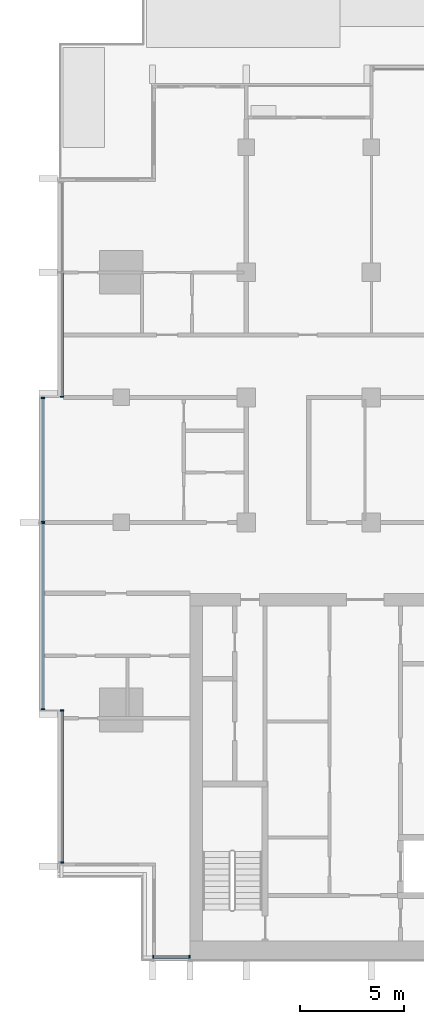
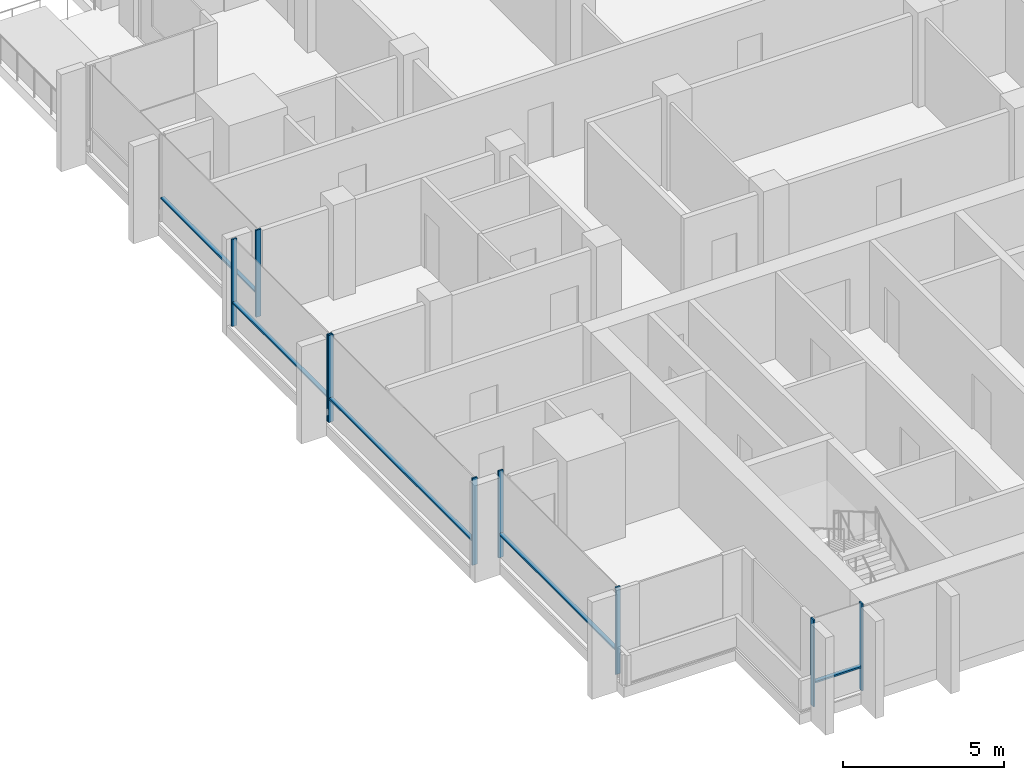
# One storey, part 2 of 17: 14 members, 5 elements without a shape of their own.
"""IFC4 building model written with IfcOpenShell, lengths in metres."""

from ifc_helpers import new_model, si_unit, direction, frame, origin, origin_2d, place, context, subcontext, project, spatial, rectangle, extrude, material, material_profile, profile_set, type_object, element, aggregate, save


model = new_model("IFC4")

# Units and contexts
model_context = context("Model", 3, precision=1e-05, world=origin(), true_north=direction((0.0, 1.0)))
body_context = subcontext(model_context, "Body", "Model", "MODEL_VIEW")
ifc_project = project(units=[si_unit("LENGTHUNIT", "METRE"), si_unit("AREAUNIT", "SQUARE_METRE"), si_unit("VOLUMEUNIT", "CUBIC_METRE"), si_unit("PLANEANGLEUNIT", "RADIAN"), si_unit("MASSUNIT", "GRAM", prefix="KILO")], contexts=[model_context])

# Site, building, storey
site_placement = place(None, origin())
site = spatial("IfcSite", under=ifc_project, at=site_placement, CompositionType="ELEMENT")
building_placement = place(site_placement, origin())
building = spatial("IfcBuilding", under=site, at=building_placement, Name="Finial Court Residences", CompositionType="ELEMENT")
storey_placement = place(building_placement, frame((0.0, 0.0, 205.10009765625)))
storey = spatial("IfcBuildingStorey", under=building, at=storey_placement, Name="L51", CompositionType="ELEMENT", Elevation=205.10009765625)

# Curtain wall, members
ifc_material = material(Name="Bronze anodised aluminium", Category="aluminium")
curtain_wall_type = type_object("IfcCurtainWallType", Name="Unitised curtain wall, upper zones", PredefinedType="NOTDEFINED", material=ifc_material)
curtain_wall_1_placement = place(storey_placement, origin())
curtain_wall_1 = element("IfcCurtainWall", 1, at=curtain_wall_1_placement, inside=storey, type_object=curtain_wall_type, Name="E-L51-CW-S6", PredefinedType="NOTDEFINED")
ifc_material_profile_1 = material_profile(ifc_material, rectangle(XDim=0.175048828125, YDim=0.06005859375, at=origin_2d()), Name="CW2 mullion 60 x 175")
ifc_profile_set_1 = profile_set([ifc_material_profile_1], Name="Bronze anodised aluminium")
member_type_1 = type_object("IfcMemberType", Name="CW2 mullion 60 x 175", PredefinedType="MULLION", material=ifc_profile_set_1)
member_1_placement = place(storey_placement, frame((-14.969970703125, -25.35009765625, 0.0), z_axis=(0.0, 0.0, 1.0), x_axis=(0.0, 1.0, 0.0)))
member_1 = element("IfcMember", 2, at=member_1_placement, type_object=member_type_1, Name="CW2 mullion 1", PredefinedType="MULLION", context=body_context, shape_type="SweptSolid", body=[
    extrude(rectangle(XDim=0.175048828125, YDim=0.06005859375, at=origin_2d()), origin(), (0.0, 0.0, 1.0), 3.2998046875),
])
member_2_placement = place(storey_placement, frame((-13.22998046875, -25.35009765625, 0.0), z_axis=(0.0, 0.0, 1.0), x_axis=(0.0, 1.0, 0.0)))
member_2 = element("IfcMember", 3, at=member_2_placement, type_object=member_type_1, Name="CW2 mullion 2", PredefinedType="MULLION", context=body_context, shape_type="SweptSolid", body=[
    extrude(rectangle(XDim=0.175048828125, YDim=0.06005859375, at=origin_2d()), origin(), (0.0, 0.0, 1.0), 3.2998046875),
])

curtain_wall_2_placement = place(storey_placement, origin())
curtain_wall_2 = element("IfcCurtainWall", 4, at=curtain_wall_2_placement, inside=storey, type_object=curtain_wall_type, Name="E-L51-CW-W8", PredefinedType="NOTDEFINED")
member_3_placement = place(storey_placement, frame((-19.35009765625, -20.820068359375, 0.0), z_axis=(0.0, 0.0, 1.0), x_axis=(-1.0, 0.0, 0.0)))
member_3 = element("IfcMember", 5, at=member_3_placement, type_object=member_type_1, Name="CW2 mullion 1", PredefinedType="MULLION", context=body_context, shape_type="SweptSolid", body=[
    extrude(rectangle(XDim=0.175048828125, YDim=0.06005859375, at=origin_2d()), origin(), (0.0, 0.0, 1.0), 3.2998046875),
])
member_4_placement = place(storey_placement, frame((-19.35009765625, -13.530029296875, 0.0), z_axis=(0.0, 0.0, 1.0), x_axis=(-1.0, 0.0, 0.0)))
member_4 = element("IfcMember", 6, at=member_4_placement, type_object=member_type_1, Name="CW2 mullion 2", PredefinedType="MULLION", context=body_context, shape_type="SweptSolid", body=[
    extrude(rectangle(XDim=0.175048828125, YDim=0.06005859375, at=origin_2d()), origin(), (0.0, 0.0, 1.0), 3.2998046875),
])

curtain_wall_3_placement = place(storey_placement, origin())
curtain_wall_3 = element("IfcCurtainWall", 7, at=curtain_wall_3_placement, inside=storey, type_object=curtain_wall_type, Name="E-L51-CW-W9", PredefinedType="NOTDEFINED")
member_5_placement = place(storey_placement, frame((-20.25, -13.469970703125, 0.0), z_axis=(0.0, 0.0, 1.0), x_axis=(-1.0, 0.0, 0.0)))
member_5 = element("IfcMember", 8, at=member_5_placement, type_object=member_type_1, Name="CW2 mullion 1", PredefinedType="MULLION", context=body_context, shape_type="SweptSolid", body=[
    extrude(rectangle(XDim=0.175048828125, YDim=0.06005859375, at=origin_2d()), origin(), (0.0, 0.0, 1.0), 3.2998046875),
])
member_6_placement = place(storey_placement, frame((-20.25, -4.530029296875, 0.0), z_axis=(0.0, 0.0, 1.0), x_axis=(-1.0, 0.0, 0.0)))
member_6 = element("IfcMember", 9, at=member_6_placement, type_object=member_type_1, Name="CW2 mullion 2", PredefinedType="MULLION", context=body_context, shape_type="SweptSolid", body=[
    extrude(rectangle(XDim=0.175048828125, YDim=0.06005859375, at=origin_2d()), origin(), (0.0, 0.0, 1.0), 3.2998046875),
])

curtain_wall_4_placement = place(storey_placement, origin())
curtain_wall_4 = element("IfcCurtainWall", 10, at=curtain_wall_4_placement, inside=storey, type_object=curtain_wall_type, Name="E-L51-CW-W10", PredefinedType="NOTDEFINED")
member_7_placement = place(storey_placement, frame((-20.25, -4.469970703125, 0.0), z_axis=(0.0, 0.0, 1.0), x_axis=(-1.0, 0.0, 0.0)))
member_7 = element("IfcMember", 11, at=member_7_placement, type_object=member_type_1, Name="CW2 mullion 1", PredefinedType="MULLION", context=body_context, shape_type="SweptSolid", body=[
    extrude(rectangle(XDim=0.175048828125, YDim=0.06005859375, at=origin_2d()), origin(), (0.0, 0.0, 1.0), 3.2998046875),
])
member_8_placement = place(storey_placement, frame((-20.25, 1.469970703125, 0.0), z_axis=(0.0, 0.0, 1.0), x_axis=(-1.0, 0.0, 0.0)))
member_8 = element("IfcMember", 12, at=member_8_placement, type_object=member_type_1, Name="CW2 mullion 2", PredefinedType="MULLION", context=body_context, shape_type="SweptSolid", body=[
    extrude(rectangle(XDim=0.175048828125, YDim=0.06005859375, at=origin_2d()), origin(), (0.0, 0.0, 1.0), 3.2998046875),
])

# Curtain wall, member
curtain_wall_5_placement = place(storey_placement, origin())
curtain_wall_5 = element("IfcCurtainWall", 13, at=curtain_wall_5_placement, inside=storey, type_object=curtain_wall_type, Name="E-L51-CW-W11", PredefinedType="NOTDEFINED")
member_9_placement = place(storey_placement, frame((-19.35009765625, 1.530029296875, 0.0), z_axis=(0.0, 0.0, 1.0), x_axis=(-1.0, 0.0, 0.0)))
member_9 = element("IfcMember", 14, at=member_9_placement, type_object=member_type_1, Name="CW2 mullion 1", PredefinedType="MULLION", context=body_context, shape_type="SweptSolid", body=[
    extrude(rectangle(XDim=0.175048828125, YDim=0.06005859375, at=origin_2d()), origin(), (0.0, 0.0, 1.0), 3.2998046875),
])

# Member
ifc_material_profile_2 = material_profile(ifc_material, rectangle(XDim=0.139892578125, YDim=0.06005859375, at=origin_2d()), Name="CW2 transom 60 x 140")
ifc_profile_set_2 = profile_set([ifc_material_profile_2], Name="Bronze anodised aluminium")
member_type_2 = type_object("IfcMemberType", Name="CW2 transom 60 x 140", PredefinedType="USERDEFINED", material=ifc_profile_set_2)
member_10_placement = place(storey_placement, frame((-14.93994140625, -25.35009765625, 0.89990234375), z_axis=(1.0, 0.0, 0.0), x_axis=(0.0, 1.0, 0.0)))
member_10 = element("IfcMember", 15, at=member_10_placement, type_object=member_type_2, Name="CW2 transom 1.1", ObjectType="TRANSOM", PredefinedType="USERDEFINED", context=body_context, shape_type="SweptSolid", body=[
    extrude(rectangle(XDim=0.139892578125, YDim=0.06005859375, at=origin_2d()), origin(), (0.0, 0.0, 1.0), 1.679931640625),
])

aggregate(curtain_wall_1, [member_1, member_2, member_10])

member_11_placement = place(storey_placement, frame((-19.35009765625, -20.7900390625, 0.89990234375), z_axis=(0.0, 1.0, 0.0), x_axis=(-1.0, 0.0, 0.0)))
member_11 = element("IfcMember", 16, at=member_11_placement, type_object=member_type_2, Name="CW2 transom 1.1", ObjectType="TRANSOM", PredefinedType="USERDEFINED", context=body_context, shape_type="SweptSolid", body=[
    extrude(rectangle(XDim=0.139892578125, YDim=0.06005859375, at=origin_2d()), origin(), (0.0, 0.0, 1.0), 7.22998046875),
])

aggregate(curtain_wall_2, [member_3, member_4, member_11])

member_12_placement = place(storey_placement, frame((-20.25, -13.43994140625, 0.89990234375), z_axis=(0.0, 1.0, 0.0), x_axis=(-1.0, 0.0, 0.0)))
member_12 = element("IfcMember", 17, at=member_12_placement, type_object=member_type_2, Name="CW2 transom 1.1", ObjectType="TRANSOM", PredefinedType="USERDEFINED", context=body_context, shape_type="SweptSolid", body=[
    extrude(rectangle(XDim=0.139892578125, YDim=0.06005859375, at=origin_2d()), origin(), (0.0, 0.0, 1.0), 8.8798828125),
])

aggregate(curtain_wall_3, [member_5, member_6, member_12])

member_13_placement = place(storey_placement, frame((-20.25, -4.43994140625, 0.89990234375), z_axis=(0.0, 1.0, 0.0), x_axis=(-1.0, 0.0, 0.0)))
member_13 = element("IfcMember", 18, at=member_13_placement, type_object=member_type_2, Name="CW2 transom 1.1", ObjectType="TRANSOM", PredefinedType="USERDEFINED", context=body_context, shape_type="SweptSolid", body=[
    extrude(rectangle(XDim=0.139892578125, YDim=0.06005859375, at=origin_2d()), origin(), (0.0, 0.0, 1.0), 5.8798828125),
])

aggregate(curtain_wall_4, [member_7, member_8, member_13])

member_14_placement = place(storey_placement, frame((-19.35009765625, 1.56005859375, 0.89990234375), z_axis=(0.0, 1.0, 0.0), x_axis=(-1.0, 0.0, 0.0)))
member_14 = element("IfcMember", 19, at=member_14_placement, type_object=member_type_2, Name="CW2 transom 1.1", ObjectType="TRANSOM", PredefinedType="USERDEFINED", context=body_context, shape_type="SweptSolid", body=[
    extrude(rectangle(XDim=0.139892578125, YDim=0.06005859375, at=origin_2d()), origin(), (0.0, 0.0, 1.0), 5.909912109375),
])

aggregate(curtain_wall_5, [member_9, member_14])

save(model, "model.ifc")
